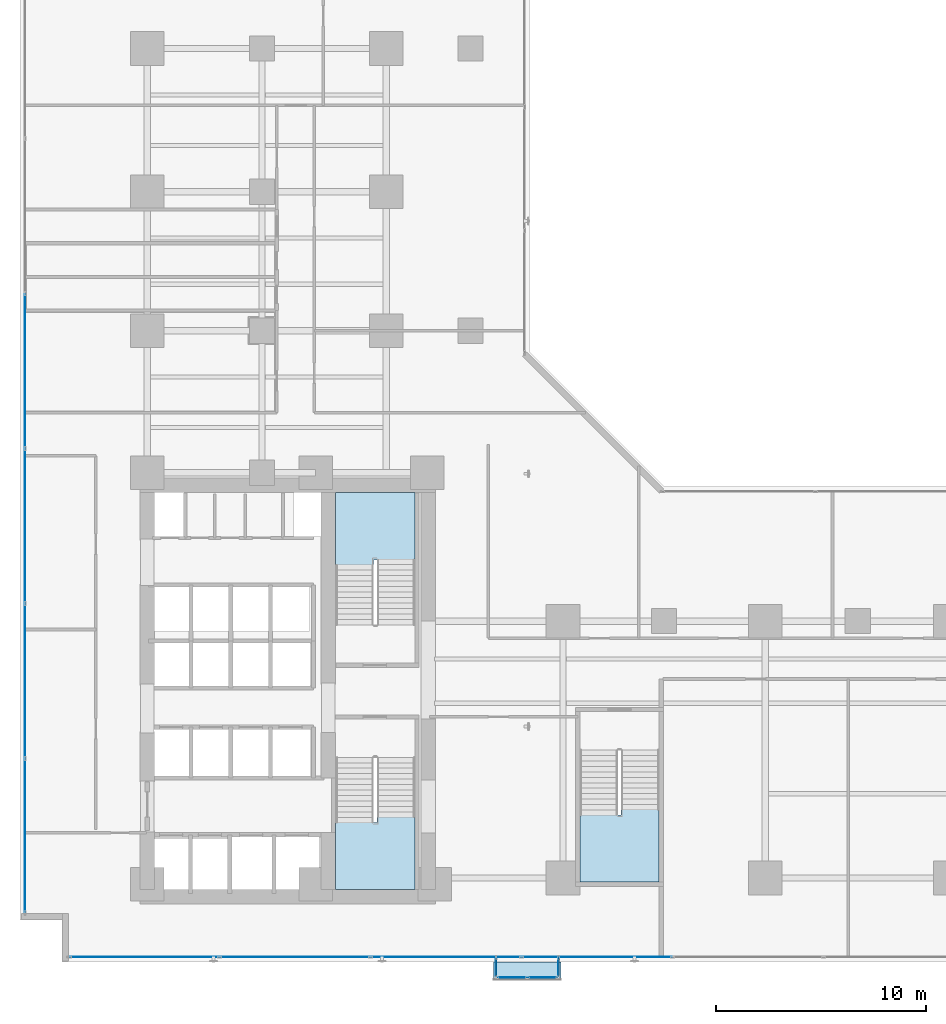
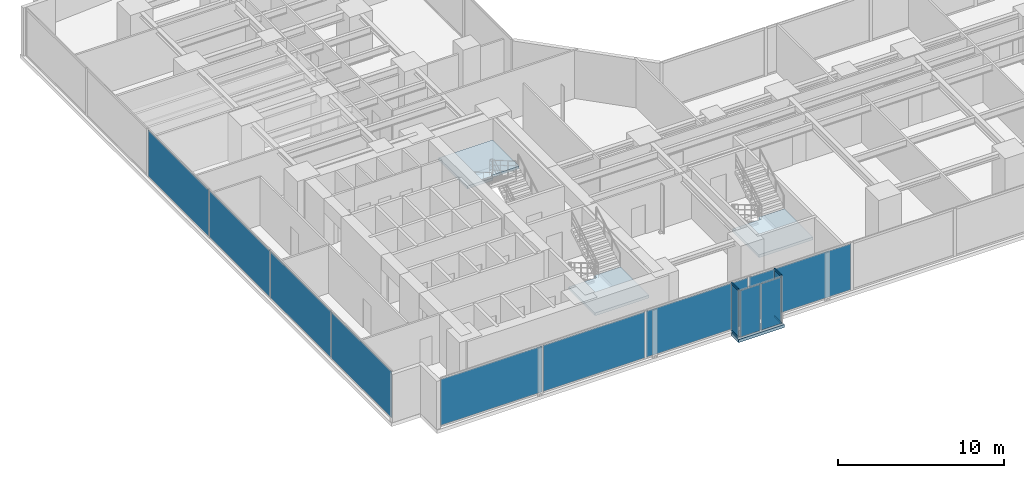
# One storey, part 20 of 26: 12 plates, 4 members, 4 slabs, 8 elements without a shape of their own.
"""IFC4 building model written with IfcOpenShell, lengths in metres."""

from ifc_helpers import new_model, si_unit, direction, frame, origin, origin_with_axes, origin_2d, place, context, subcontext, project, spatial, polyline, rectangle, hollow_rectangle, outline, extrude, source, transform, mapped, material, layer, layer_set, material_profile, profile_set, type_object, element, aggregate, save


model = new_model("IFC4")

# Units and contexts
model_context = context("Model", 3, precision=1e-05, world=origin(), true_north=direction((0.0, 1.0)))
body_context = subcontext(model_context, "Body", "Model", "MODEL_VIEW")
ifc_project = project(units=[si_unit("LENGTHUNIT", "METRE"), si_unit("AREAUNIT", "SQUARE_METRE"), si_unit("VOLUMEUNIT", "CUBIC_METRE"), si_unit("PLANEANGLEUNIT", "RADIAN"), si_unit("MASSUNIT", "GRAM", prefix="KILO")], contexts=[model_context])

# Site, building, storey
site_placement = place(None, origin())
site = spatial("IfcSite", under=ifc_project, at=site_placement, CompositionType="ELEMENT")
building_placement = place(site_placement, origin())
building = spatial("IfcBuilding", under=site, at=building_placement, Name="Kolvaren Waterfront Exchange", CompositionType="ELEMENT")
storey_placement = place(building_placement, frame((0.0, 0.0, 44.800048828125)))
storey = spatial("IfcBuildingStorey", under=building, at=storey_placement, Name="L11", CompositionType="ELEMENT", Elevation=44.800048828125)

# Curtain wall, members
ifc_material_1 = material(Name="Anodised bronze aluminium 6063-T6", Category="aluminium")
ifc_layer_1 = layer(ifc_material_1, 0.219970703125, Name="Anodised bronze aluminium 6063-T6")
ifc_layer_set_1 = layer_set([ifc_layer_1], Name="Anodised bronze aluminium 6063-T6")
curtain_wall_type_1 = type_object("IfcCurtainWallType", Name="ARC-CW-SYS3", PredefinedType="USERDEFINED", material=ifc_layer_set_1)
curtain_wall_1_placement = place(storey_placement, origin())
curtain_wall_1 = element("IfcCurtainWall", 1, at=curtain_wall_1_placement, inside=storey, type_object=curtain_wall_type_1, Name="L11 stick curtain wall CW3 (CW-L11-BOX-W)", ObjectType="STICK CURTAIN WALL", PredefinedType="USERDEFINED")
ifc_material_profile = material_profile(ifc_material_1, hollow_rectangle(XDim=0.06494140625, YDim=0.1298828125, WallThickness=0.00390625, at=origin_2d()), Name="ALU-TRN-130x65x4")
ifc_profile_set = profile_set([ifc_material_profile], Name="Anodised bronze aluminium 6063-T6")
member_type = type_object("IfcMemberType", Name="ARC-CWT-130", PredefinedType="USERDEFINED", material=ifc_profile_set)
shared_shape_1 = source(origin_with_axes(), body_context, "Body", "SweptSolid", [
    extrude(hollow_rectangle(XDim=0.06494140625, YDim=0.1298828125, WallThickness=0.00390625, at=origin_2d()), origin(), (0.0, 0.0, 1.0), 0.830078125),
])
member_1_placement = place(storey_placement, frame((24.010009765625, 1.364990234375, 0.032470703125), z_axis=(0.0, -1.0, 0.0), x_axis=(1.0, 0.0, 0.0)))
member_1 = element("IfcMember", 2, at=member_1_placement, type_object=member_type, Name="CW3 transom 1.1", ObjectType="TRANSOM", PredefinedType="USERDEFINED", context=body_context, shape_type="MappedRepresentation", body=[
    mapped(shared_shape_1, transform((0.0, 0.0, 0.0), x_axis=(1.0, 0.0, 0.0), y_axis=(0.0, 1.0, 0.0), z_axis=(0.0, 0.0, 1.0), scale=1.0)),
])
member_2_placement = place(storey_placement, frame((24.010009765625, 1.364990234375, 3.507568359375), z_axis=(0.0, -1.0, 0.0), x_axis=(1.0, 0.0, 0.0)))
member_2 = element("IfcMember", 3, at=member_2_placement, type_object=member_type, Name="CW3 transom 1.2", ObjectType="TRANSOM", PredefinedType="USERDEFINED", context=body_context, shape_type="MappedRepresentation", body=[
    mapped(shared_shape_1, transform((0.0, 0.0, 0.0), x_axis=(1.0, 0.0, 0.0), y_axis=(0.0, 1.0, 0.0), z_axis=(0.0, 0.0, 1.0), scale=1.0)),
])

curtain_wall_2_placement = place(storey_placement, origin())
curtain_wall_2 = element("IfcCurtainWall", 4, at=curtain_wall_2_placement, inside=storey, type_object=curtain_wall_type_1, Name="L11 stick curtain wall CW3 (CW-L11-BOX-E)", ObjectType="STICK CURTAIN WALL", PredefinedType="USERDEFINED")
member_3_placement = place(storey_placement, frame((26.989990234375, 0.534912109375, 0.032470703125), z_axis=(0.0, 1.0, 0.0), x_axis=(-1.0, 0.0, 0.0)))
member_3 = element("IfcMember", 5, at=member_3_placement, type_object=member_type, Name="CW3 transom 1.1", ObjectType="TRANSOM", PredefinedType="USERDEFINED", context=body_context, shape_type="MappedRepresentation", body=[
    mapped(shared_shape_1, transform((0.0, 0.0, 0.0), x_axis=(1.0, 0.0, 0.0), y_axis=(0.0, 1.0, 0.0), z_axis=(0.0, 0.0, 1.0), scale=1.0)),
])
member_4_placement = place(storey_placement, frame((26.989990234375, 0.534912109375, 3.507568359375), z_axis=(0.0, 1.0, 0.0), x_axis=(-1.0, 0.0, 0.0)))
member_4 = element("IfcMember", 6, at=member_4_placement, type_object=member_type, Name="CW3 transom 1.2", ObjectType="TRANSOM", PredefinedType="USERDEFINED", context=body_context, shape_type="MappedRepresentation", body=[
    mapped(shared_shape_1, transform((0.0, 0.0, 0.0), x_axis=(1.0, 0.0, 0.0), y_axis=(0.0, 1.0, 0.0), z_axis=(0.0, 0.0, 1.0), scale=1.0)),
])

# Stair, slab
ifc_material_2 = material(Name="Concrete C40/50", Category="concrete")
stair_type = type_object("IfcStairType", Name="ARC-STAIR-3800", PredefinedType="HALF_TURN_STAIR", material=ifc_material_2)
stair_1_placement = place(storey_placement, origin())
stair_1 = element("IfcStair", 7, at=stair_1_placement, inside=storey, type_object=stair_type, Name="L11 Smoke-proof exit stair ST1", PredefinedType="HALF_TURN_STAIR")
ifc_layer_2 = layer(ifc_material_2, 0.199951171875, Name="Concrete C40/50")
ifc_layer_set_2 = layer_set([ifc_layer_2], Name="Concrete C40/50")
slab_type_1 = type_object("IfcSlabType", Name="STR-LANDING-200", PredefinedType="LANDING", material=ifc_layer_set_2)
slab_1_placement = place(storey_placement, frame((0.0, 0.0, 1.77587890625)))
slab_1 = element("IfcSlab", 8, at=slab_1_placement, type_object=slab_type_1, Name="ST1 landing 1", PredefinedType="LANDING", context=body_context, shape_type="SweptSolid", body=[
    extrude(outline(polyline([(16.39990234375, 7.840087890625), (16.39990234375, 4.64990234375), (20.159912109375, 4.64990234375), (20.159912109375, 8.10009765625), (18.360107421875, 8.10009765625), (18.360107421875, 7.840087890625), (16.39990234375, 7.840087890625)])), origin(), (0.0, 0.0, 1.0), 0.199951171875),
])
aggregate(stair_1, [slab_1])

stair_2_placement = place(storey_placement, origin())
stair_2 = element("IfcStair", 9, at=stair_2_placement, inside=storey, type_object=stair_type, Name="L11 Smoke-proof exit stair ST2", PredefinedType="HALF_TURN_STAIR")
slab_2_placement = place(storey_placement, frame((0.0, 0.0, 1.77587890625)))
slab_2 = element("IfcSlab", 10, at=slab_2_placement, type_object=slab_type_1, Name="ST2 landing 1", PredefinedType="LANDING", context=body_context, shape_type="SweptSolid", body=[
    extrude(outline(polyline([(20.159912109375, 20.31005859375), (20.159912109375, 23.5), (16.39990234375, 23.5), (16.39990234375, 20.050048828125), (18.199951171875, 20.050048828125), (18.199951171875, 20.31005859375), (20.159912109375, 20.31005859375)])), origin(), (0.0, 0.0, 1.0), 0.199951171875),
])
aggregate(stair_2, [slab_2])

stair_3_placement = place(storey_placement, origin())
stair_3 = element("IfcStair", 11, at=stair_3_placement, inside=storey, type_object=stair_type, Name="L11 Exit stair ST3", PredefinedType="HALF_TURN_STAIR")
slab_3_placement = place(storey_placement, frame((0.0, 0.0, 1.77587890625)))
slab_3 = element("IfcSlab", 12, at=slab_3_placement, type_object=slab_type_1, Name="ST3 landing 1", PredefinedType="LANDING", context=body_context, shape_type="SweptSolid", body=[
    extrude(outline(polyline([(28.0, 8.18994140625), (28.0, 5.0), (31.760009765625, 5.0), (31.760009765625, 8.449951171875), (29.9599609375, 8.449951171875), (29.9599609375, 8.18994140625), (28.0, 8.18994140625)])), origin(), (0.0, 0.0, 1.0), 0.199951171875),
])
aggregate(stair_3, [slab_3])

# Slab
ifc_layer_3 = layer(ifc_material_2, 0.219970703125, Name="Concrete C40/50")
ifc_layer_set_3 = layer_set([ifc_layer_3], Name="Concrete C40/50")
slab_type_2 = type_object("IfcSlabType", Name="STR-TERR-220", PredefinedType="FLOOR", material=ifc_layer_set_3)
slab_4_placement = place(storey_placement, frame((0.0, 0.0, -0.219970703125)))
element("IfcSlab", 13, at=slab_4_placement, inside=storey, type_object=slab_type_2, Name="L11 projecting bay-box floor strip", PredefinedType="FLOOR", context=body_context, shape_type="SweptSolid", body=[
    extrude(outline(polyline([(23.89990234375, 0.35009765625), (27.10009765625, 0.35009765625), (27.10009765625, 1.199951171875), (23.89990234375, 1.199951171875), (23.89990234375, 0.35009765625)])), origin(), (0.0, 0.0, 1.0), 0.219970703125),
])

# Curtain wall, plates
ifc_layer_4 = layer(ifc_material_1, 0.219970703125, Name="Anodised bronze aluminium 6063-T6")
ifc_layer_set_4 = layer_set([ifc_layer_4], Name="Anodised bronze aluminium 6063-T6")
curtain_wall_type_2 = type_object("IfcCurtainWallType", Name="ARC-CW-SYS1", PredefinedType="USERDEFINED", material=ifc_layer_set_4)
curtain_wall_3_placement = place(storey_placement, origin())
curtain_wall_3 = element("IfcCurtainWall", 14, at=curtain_wall_3_placement, inside=storey, type_object=curtain_wall_type_2, Name="L11 stick curtain wall CW1 (CW-L11-S)", ObjectType="STICK CURTAIN WALL", PredefinedType="USERDEFINED")
ifc_material_3 = material(Name="Bronze solar control vision glass", Category="aluminium")
ifc_layer_5 = layer(ifc_material_3, 0.028076171875, Name="Bronze solar control vision glass")
ifc_layer_set_5 = layer_set([ifc_layer_5], Name="Bronze solar control vision glass")
plate_type_1 = type_object("IfcPlateType", Name="ARC-CWP-28", PredefinedType="CURTAIN_PANEL", material=ifc_layer_set_5)
shared_shape_2 = source(origin_with_axes(), body_context, "Body", "SweptSolid", [
    extrude(rectangle(XDim=7.054931640625, YDim=0.028076171875, at=origin_2d()), origin(), (0.0, 0.0, 1.0), 3.389892578125),
])
plate_1_placement = place(storey_placement, frame((7.3076171875, 1.43994140625, 0.0751953125), z_axis=(0.0, 0.0, 1.0), x_axis=(1.0, 0.0, 0.0)))
plate_1 = element("IfcPlate", 15, at=plate_1_placement, type_object=plate_type_1, Name="CW1 panel 1.1", PredefinedType="CURTAIN_PANEL", context=body_context, shape_type="MappedRepresentation", body=[
    mapped(shared_shape_2, transform((0.0, 0.0, 0.0), x_axis=(1.0, 0.0, 0.0), y_axis=(0.0, 1.0, 0.0), z_axis=(0.0, 0.0, 1.0), scale=1.0)),
])
shared_shape_3 = source(origin_with_axes(), body_context, "Body", "SweptSolid", [
    extrude(rectangle(XDim=7.094970703125, YDim=0.028076171875, at=origin_2d()), origin(), (0.0, 0.0, 1.0), 3.389892578125),
])
plate_2_placement = place(storey_placement, frame((14.46240234375, 1.43994140625, 0.0751953125), z_axis=(0.0, 0.0, 1.0), x_axis=(1.0, 0.0, 0.0)))
plate_2 = element("IfcPlate", 16, at=plate_2_placement, type_object=plate_type_1, Name="CW1 panel 2.1", PredefinedType="CURTAIN_PANEL", context=body_context, shape_type="MappedRepresentation", body=[
    mapped(shared_shape_3, transform((0.0, 0.0, 0.0), x_axis=(1.0, 0.0, 0.0), y_axis=(0.0, 1.0, 0.0), z_axis=(0.0, 0.0, 1.0), scale=1.0)),
])
plate_3_placement = place(storey_placement, frame((21.637451171875, 1.43994140625, 0.0751953125), z_axis=(0.0, 0.0, 1.0), x_axis=(1.0, 0.0, 0.0)))
plate_3 = element("IfcPlate", 17, at=plate_3_placement, type_object=plate_type_1, Name="CW1 panel 3.1", PredefinedType="CURTAIN_PANEL", context=body_context, shape_type="MappedRepresentation", body=[
    mapped(shared_shape_3, transform((0.0, 0.0, 0.0), x_axis=(1.0, 0.0, 0.0), y_axis=(0.0, 1.0, 0.0), z_axis=(0.0, 0.0, 1.0), scale=1.0)),
])
plate_4_placement = place(storey_placement, frame((28.8125, 1.43994140625, 0.0751953125), z_axis=(0.0, 0.0, 1.0), x_axis=(1.0, 0.0, 0.0)))
plate_4 = element("IfcPlate", 18, at=plate_4_placement, type_object=plate_type_1, Name="CW1 panel 4.1", PredefinedType="CURTAIN_PANEL", context=body_context, shape_type="MappedRepresentation", body=[
    mapped(shared_shape_3, transform((0.0, 0.0, 0.0), x_axis=(1.0, 0.0, 0.0), y_axis=(0.0, 1.0, 0.0), z_axis=(0.0, 0.0, 1.0), scale=1.0)),
])
aggregate(curtain_wall_3, [plate_1, plate_2, plate_3, plate_4])

ifc_material_4 = material(Name="Anodised aluminium 6063-T6", Category="aluminium")
ifc_layer_6 = layer(ifc_material_4, 0.219970703125, Name="Anodised aluminium 6063-T6")
ifc_layer_set_6 = layer_set([ifc_layer_6], Name="Anodised aluminium 6063-T6")
curtain_wall_type_3 = type_object("IfcCurtainWallType", Name="ARC-CW-SYS2", PredefinedType="USERDEFINED", material=ifc_layer_set_6)
curtain_wall_4_placement = place(storey_placement, origin())
curtain_wall_4 = element("IfcCurtainWall", 19, at=curtain_wall_4_placement, inside=storey, type_object=curtain_wall_type_3, Name="L11 stick curtain wall CW2 (CW-L11-W)", ObjectType="STICK CURTAIN WALL", PredefinedType="USERDEFINED")
ifc_material_5 = material(Name="Acoustic laminated vision glass", Category="glass")
ifc_layer_7 = layer(ifc_material_5, 0.031982421875, Name="Acoustic laminated vision glass")
ifc_layer_set_7 = layer_set([ifc_layer_7], Name="Acoustic laminated vision glass")
plate_type_2 = type_object("IfcPlateType", Name="ARC-CWP-32", PredefinedType="CURTAIN_PANEL", material=ifc_layer_set_7)
shared_shape_4 = source(origin_with_axes(), body_context, "Body", "SweptSolid", [
    extrude(rectangle(XDim=7.24658203125, YDim=0.031982421875, at=origin_2d()), origin(), (0.0, 0.0, 1.0), 3.389892578125),
])
plate_5_placement = place(storey_placement, frame((1.639892578125, 7.203369140625, 0.0751953125), z_axis=(0.0, 0.0, 1.0), x_axis=(0.0, 1.0, 0.0)))
plate_5 = element("IfcPlate", 20, at=plate_5_placement, type_object=plate_type_2, Name="CW2 panel 1.1", PredefinedType="CURTAIN_PANEL", context=body_context, shape_type="MappedRepresentation", body=[
    mapped(shared_shape_4, transform((0.0, 0.0, 0.0), x_axis=(1.0, 0.0, 0.0), y_axis=(0.0, 1.0, 0.0), z_axis=(0.0, 0.0, 1.0), scale=1.0)),
])
shared_shape_5 = source(origin_with_axes(), body_context, "Body", "SweptSolid", [
    extrude(rectangle(XDim=7.28662109375, YDim=0.031982421875, at=origin_2d()), origin(), (0.0, 0.0, 1.0), 3.389892578125),
])
plate_6_placement = place(storey_placement, frame((1.639892578125, 14.550048828125, 0.0751953125), z_axis=(0.0, 0.0, 1.0), x_axis=(0.0, 1.0, 0.0)))
plate_6 = element("IfcPlate", 21, at=plate_6_placement, type_object=plate_type_2, Name="CW2 panel 2.1", PredefinedType="CURTAIN_PANEL", context=body_context, shape_type="MappedRepresentation", body=[
    mapped(shared_shape_5, transform((0.0, 0.0, 0.0), x_axis=(1.0, 0.0, 0.0), y_axis=(0.0, 1.0, 0.0), z_axis=(0.0, 0.0, 1.0), scale=1.0)),
])
plate_7_placement = place(storey_placement, frame((1.639892578125, 21.916748046875, 0.0751953125), z_axis=(0.0, 0.0, 1.0), x_axis=(0.0, 1.0, 0.0)))
plate_7 = element("IfcPlate", 22, at=plate_7_placement, type_object=plate_type_2, Name="CW2 panel 3.1", PredefinedType="CURTAIN_PANEL", context=body_context, shape_type="MappedRepresentation", body=[
    mapped(shared_shape_5, transform((0.0, 0.0, 0.0), x_axis=(1.0, 0.0, 0.0), y_axis=(0.0, 1.0, 0.0), z_axis=(0.0, 0.0, 1.0), scale=1.0)),
])
plate_8_placement = place(storey_placement, frame((1.639892578125, 29.283447265625, 0.0751953125), z_axis=(0.0, 0.0, 1.0), x_axis=(0.0, 1.0, 0.0)))
plate_8 = element("IfcPlate", 23, at=plate_8_placement, type_object=plate_type_2, Name="CW2 panel 4.1", PredefinedType="CURTAIN_PANEL", context=body_context, shape_type="MappedRepresentation", body=[
    mapped(shared_shape_5, transform((0.0, 0.0, 0.0), x_axis=(1.0, 0.0, 0.0), y_axis=(0.0, 1.0, 0.0), z_axis=(0.0, 0.0, 1.0), scale=1.0)),
])
aggregate(curtain_wall_4, [plate_5, plate_6, plate_7, plate_8])

# Plate
ifc_material_6 = material(Name="Bronze tinted bay-box vision glass", Category="aluminium")
ifc_layer_8 = layer(ifc_material_6, 0.02392578125, Name="Bronze tinted bay-box vision glass")
ifc_layer_set_8 = layer_set([ifc_layer_8], Name="Bronze tinted bay-box vision glass")
plate_type_3 = type_object("IfcPlateType", Name="ARC-CWP-24", PredefinedType="CURTAIN_PANEL", material=ifc_layer_set_8)
shared_shape_6 = source(origin_with_axes(), body_context, "Body", "SweptSolid", [
    extrude(rectangle(XDim=0.830078125, YDim=0.02392578125, at=origin_2d()), origin(), (0.0, 0.0, 1.0), 3.409912109375),
])
plate_9_placement = place(storey_placement, frame((24.010009765625, 0.949951171875, 0.06494140625), z_axis=(0.0, 0.0, 1.0), x_axis=(0.0, -1.0, 0.0)))
plate_9 = element("IfcPlate", 24, at=plate_9_placement, type_object=plate_type_3, Name="CW3 panel 1.1", PredefinedType="CURTAIN_PANEL", context=body_context, shape_type="MappedRepresentation", body=[
    mapped(shared_shape_6, transform((0.0, 0.0, 0.0), x_axis=(1.0, 0.0, 0.0), y_axis=(0.0, 1.0, 0.0), z_axis=(0.0, 0.0, 1.0), scale=1.0)),
])

aggregate(curtain_wall_1, [member_1, member_2, plate_9])

plate_10_placement = place(storey_placement, frame((26.989990234375, 0.949951171875, 0.06494140625), z_axis=(0.0, 0.0, 1.0), x_axis=(0.0, 1.0, 0.0)))
plate_10 = element("IfcPlate", 25, at=plate_10_placement, type_object=plate_type_3, Name="CW3 panel 1.1", PredefinedType="CURTAIN_PANEL", context=body_context, shape_type="MappedRepresentation", body=[
    mapped(shared_shape_6, transform((0.0, 0.0, 0.0), x_axis=(1.0, 0.0, 0.0), y_axis=(0.0, 1.0, 0.0), z_axis=(0.0, 0.0, 1.0), scale=1.0)),
])

aggregate(curtain_wall_2, [member_3, member_4, plate_10])

# Curtain wall, plates
curtain_wall_5_placement = place(storey_placement, origin())
curtain_wall_5 = element("IfcCurtainWall", 26, at=curtain_wall_5_placement, inside=storey, type_object=curtain_wall_type_1, Name="L11 stick curtain wall CW3 (CW-L11-BOX)", ObjectType="STICK CURTAIN WALL", PredefinedType="USERDEFINED")
shared_shape_7 = source(origin_with_axes(), body_context, "Body", "SweptSolid", [
    extrude(rectangle(XDim=1.37744140625, YDim=0.02392578125, at=origin_2d()), origin(), (0.0, 0.0, 1.0), 3.409912109375),
])
plate_11_placement = place(storey_placement, frame((24.773681640625, 0.4599609375, 0.06494140625), z_axis=(0.0, 0.0, 1.0), x_axis=(1.0, 0.0, 0.0)))
plate_11 = element("IfcPlate", 27, at=plate_11_placement, type_object=plate_type_3, Name="CW3 panel 1.1", PredefinedType="CURTAIN_PANEL", context=body_context, shape_type="MappedRepresentation", body=[
    mapped(shared_shape_7, transform((0.0, 0.0, 0.0), x_axis=(1.0, 0.0, 0.0), y_axis=(0.0, 1.0, 0.0), z_axis=(0.0, 0.0, 1.0), scale=1.0)),
])
plate_12_placement = place(storey_placement, frame((26.226318359375, 0.4599609375, 0.06494140625), z_axis=(0.0, 0.0, 1.0), x_axis=(1.0, 0.0, 0.0)))
plate_12 = element("IfcPlate", 28, at=plate_12_placement, type_object=plate_type_3, Name="CW3 panel 2.1", PredefinedType="CURTAIN_PANEL", context=body_context, shape_type="MappedRepresentation", body=[
    mapped(shared_shape_7, transform((0.0, 0.0, 0.0), x_axis=(1.0, 0.0, 0.0), y_axis=(0.0, 1.0, 0.0), z_axis=(0.0, 0.0, 1.0), scale=1.0)),
])
aggregate(curtain_wall_5, [plate_11, plate_12])

save(model, "model.ifc")
